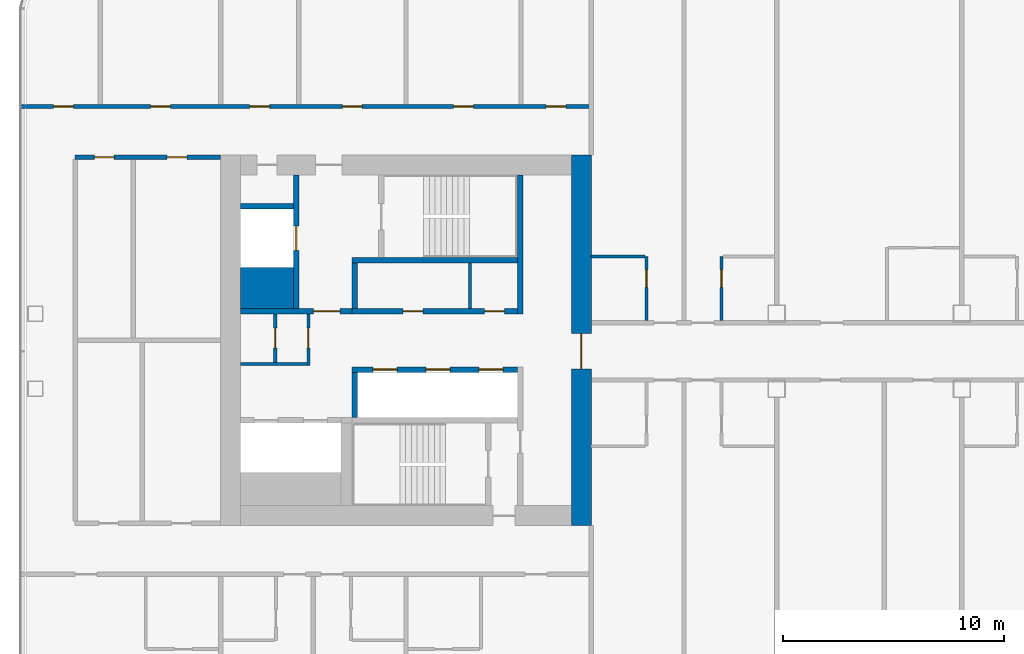
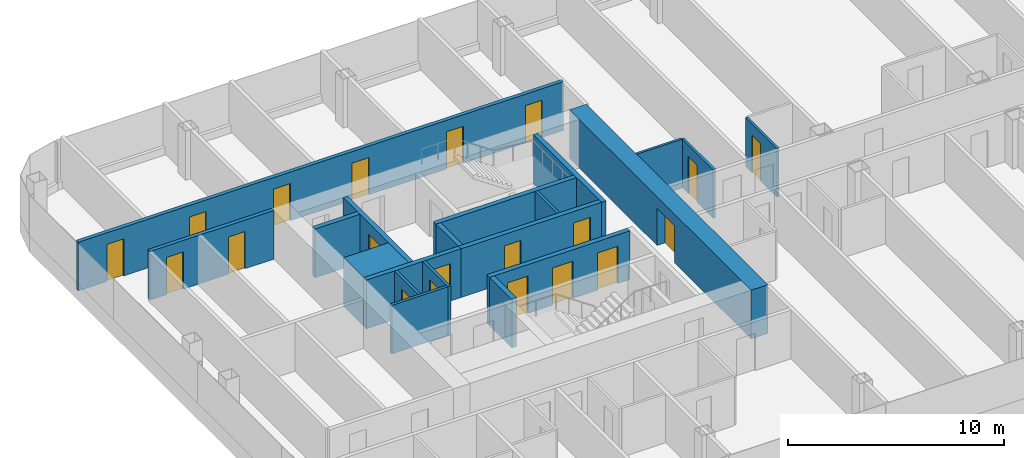
# One storey, part 13 of 26: 20 doors, 20 walls, 20 openings.
"""IFC4 building model written with IfcOpenShell, lengths in metres."""

from ifc_helpers import new_model, si_unit, direction, frame, frame_2d, origin, place, context, subcontext, project, spatial, rectangle, extrude, material, layer, layer_set, type_object, element, fill, save


model = new_model("IFC4")

# Units and contexts
model_context = context("Model", 3, precision=1e-05, world=origin(), true_north=direction((0.0, 1.0)))
body_context = subcontext(model_context, "Body", "Model", "MODEL_VIEW")
ifc_project = project(units=[si_unit("LENGTHUNIT", "METRE"), si_unit("AREAUNIT", "SQUARE_METRE"), si_unit("VOLUMEUNIT", "CUBIC_METRE"), si_unit("PLANEANGLEUNIT", "RADIAN"), si_unit("MASSUNIT", "GRAM", prefix="KILO")], contexts=[model_context])

# Site, building, storey
site_placement = place(None, origin())
site = spatial("IfcSite", under=ifc_project, at=site_placement, CompositionType="ELEMENT")
building_placement = place(site_placement, origin())
building = spatial("IfcBuilding", under=site, at=building_placement, Name="Hakoniwa Tower and Hamabe Station Hall", CompositionType="ELEMENT")
storey_placement = place(building_placement, frame((0.0, 0.0, 156.60009765625)))
storey = spatial("IfcBuildingStorey", under=building, at=storey_placement, Name="L44", CompositionType="ELEMENT", Elevation=156.60009765625)

# Wall
ifc_material_1 = material(Name="Gypsum board partition", Category="gypsum")
ifc_layer_1 = layer(ifc_material_1, 0.125)
ifc_layer_set_1 = layer_set([ifc_layer_1], Name="Bathroom Partition 125")
wall_type_1 = type_object("IfcWallType", Name="Bathroom Partition 125", PredefinedType="PARTITIONING", material=ifc_layer_set_1)
wall_1_placement = place(storey_placement, frame((-16.81005859375, 3.800048828125, 0.0), z_axis=(0.0, 0.0, 1.0), x_axis=(1.0, 0.0, 0.0)))
element("IfcWall", 1, at=wall_1_placement, inside=storey, type_object=wall_type_1, Name="GW-L44-023", PredefinedType="PARTITIONING", context=body_context, shape_type="SweptSolid", body=[
    extrude(rectangle(XDim=2.447509765625, YDim=0.125, at=frame_2d((1.2236328125, 0.0))), origin(), (0.0, 0.0, 1.0), 2.75),
])

# Wall, opening, door
wall_2_placement = place(storey_placement, frame((-14.300048828125, 0.89990234375, 0.0), z_axis=(0.0, 0.0, 1.0), x_axis=(0.0, 1.0, 0.0)))
wall_2 = element("IfcWall", 2, at=wall_2_placement, inside=storey, type_object=wall_type_1, Name="GW-L44-051", PredefinedType="PARTITIONING", context=body_context, shape_type="SweptSolid", body=[
    extrude(rectangle(XDim=2.900146484375, YDim=0.125, at=frame_2d((1.4501953125, 0.0))), origin(), (0.0, 0.0, 1.0), 2.75),
])
opening_1_placement = place(wall_2_placement, frame((1.5, 0.0, 0.0)))
opening_1 = element("IfcOpeningElement", 3, at=opening_1_placement, cuts=wall_2, Name="Opening GD-G3D1-49", PredefinedType="OPENING", context=body_context, shape_type="SweptSolid", body=[
    extrude(rectangle(XDim=0.800048828125, YDim=2.10009765625, at=frame_2d((0.39990234375, 1.050048828125))), frame((0.0, 0.072509765625, 0.0), z_axis=(0.0, -1.0, 0.0), x_axis=(1.0, 0.0, 0.0)), (0.0, 0.0, 1.0), 0.14501953125),
])
ifc_material_2 = material(Name="Timber door leaf", Category="wood")
door_type_1 = type_object("IfcDoorType", Name="Bathroom Door 800", OperationType="SINGLE_SWING_LEFT", PredefinedType="DOOR", material=ifc_material_2)
door_1_placement = place(opening_1_placement, origin())
door_1 = element("IfcDoor", 4, at=door_1_placement, inside=storey, type_object=door_type_1, Name="Door GD-G3D1-49", OperationType="SINGLE_SWING_LEFT", OverallHeight=2.10009765625, OverallWidth=0.800048828125, PredefinedType="DOOR", context=body_context, shape_type="SweptSolid", body=[
    extrude(rectangle(XDim=0.800048828125, YDim=2.10009765625, at=frame_2d((0.39990234375, 1.050048828125))), frame((0.0, 0.02490234375, 0.0), z_axis=(0.0, -1.0, 0.0), x_axis=(1.0, 0.0, 0.0)), (0.0, 0.0, 1.0), 0.050048828125),
])
fill(opening_1, door_1)

wall_3_placement = place(storey_placement, frame((-10.89990234375, 0.89990234375, 0.0), z_axis=(0.0, 0.0, 1.0), x_axis=(0.0, 1.0, 0.0)))
wall_3 = element("IfcWall", 5, at=wall_3_placement, inside=storey, type_object=wall_type_1, Name="GW-L44-055", PredefinedType="PARTITIONING", context=body_context, shape_type="SweptSolid", body=[
    extrude(rectangle(XDim=2.900146484375, YDim=0.125, at=frame_2d((1.4501953125, 0.0))), origin(), (0.0, 0.0, 1.0), 2.75),
])
opening_2_placement = place(wall_3_placement, frame((1.5, 0.0, 0.0)))
opening_2 = element("IfcOpeningElement", 6, at=opening_2_placement, cuts=wall_3, Name="Opening GD-G3D1-51", PredefinedType="OPENING", context=body_context, shape_type="SweptSolid", body=[
    extrude(rectangle(XDim=0.800048828125, YDim=2.10009765625, at=frame_2d((0.39990234375, 1.050048828125))), frame((0.0, 0.072509765625, 0.0), z_axis=(0.0, -1.0, 0.0), x_axis=(1.0, 0.0, 0.0)), (0.0, 0.0, 1.0), 0.14501953125),
])
door_2_placement = place(opening_2_placement, origin())
door_2 = element("IfcDoor", 7, at=door_2_placement, inside=storey, type_object=door_type_1, Name="Door GD-G3D1-51", OperationType="SINGLE_SWING_RIGHT", OverallHeight=2.10009765625, OverallWidth=0.800048828125, PredefinedType="DOOR", context=body_context, shape_type="SweptSolid", body=[
    extrude(rectangle(XDim=0.800048828125, YDim=2.10009765625, at=frame_2d((0.39990234375, 1.050048828125))), frame((0.0, 0.02490234375, 0.0), z_axis=(0.0, -1.0, 0.0), x_axis=(1.0, 0.0, 0.0)), (0.0, 0.0, 1.0), 0.050048828125),
])
fill(opening_2, door_2)

ifc_material_3 = material(Name="Gypsum board partition")
ifc_layer_2 = layer(ifc_material_3, 0.14990234375)
ifc_layer_set_2 = layer_set([ifc_layer_2], Name="CORE PARTITION 150 EI 60")
wall_type_2 = type_object("IfcWallType", Name="CORE PARTITION 150 EI 60", PredefinedType="PARTITIONING", material=ifc_layer_set_2)
wall_4_placement = place(storey_placement, frame((-29.625, -1.14990234375, 0.0), z_axis=(0.0, 0.0, 1.0), x_axis=(0.0, 1.0, 0.0)))
wall_4 = element("IfcWall", 8, at=wall_4_placement, inside=storey, type_object=wall_type_2, Name="Core partition PW0 west", PredefinedType="PARTITIONING", context=body_context, shape_type="SweptSolid", body=[
    extrude(rectangle(XDim=2.349853515625, YDim=0.14990234375, at=frame_2d((1.1748046875, 0.0))), origin(), (0.0, 0.0, 1.0), 2.75),
])
opening_3_placement = place(wall_4_placement, frame((0.800048828125, 0.0, 0.0)))
opening_3 = element("IfcOpeningElement", 9, at=opening_3_placement, cuts=wall_4, Name="Opening CD-W-RM1-9", PredefinedType="OPENING", context=body_context, shape_type="SweptSolid", body=[
    extrude(rectangle(XDim=0.89990234375, YDim=2.10009765625, at=frame_2d((0.449951171875, 1.050048828125))), frame((0.0, 0.0849609375, 0.0), z_axis=(0.0, -1.0, 0.0), x_axis=(1.0, 0.0, 0.0)), (0.0, 0.0, 1.0), 0.169921875),
])
ifc_material_4 = material(Name="Steel fire door", Category="steel")
door_type_2 = type_object("IfcDoorType", Name="CORE DOOR 900 FD30", OperationType="NOTDEFINED", PredefinedType="DOOR", material=ifc_material_4)
door_3_placement = place(opening_3_placement, origin())
door_3 = element("IfcDoor", 10, at=door_3_placement, inside=storey, type_object=door_type_2, Name="Store room door", OperationType="SINGLE_SWING_LEFT", OverallHeight=2.10009765625, OverallWidth=0.89990234375, PredefinedType="DOOR", context=body_context, shape_type="SweptSolid", body=[
    extrude(rectangle(XDim=0.89990234375, YDim=2.10009765625, at=frame_2d((0.449951171875, 1.050048828125))), frame((0.0, 0.02490234375, 0.0), z_axis=(0.0, -1.0, 0.0), x_axis=(1.0, 0.0, 0.0)), (0.0, 0.0, 1.0), 0.050048828125),
])
fill(opening_3, door_3)

# Wall
wall_5_placement = place(storey_placement, frame((-32.699951171875, -1.074951171875, 0.0), z_axis=(0.0, 0.0, 1.0), x_axis=(1.0, 0.0, 0.0)))
element("IfcWall", 11, at=wall_5_placement, inside=storey, type_object=wall_type_2, Name="Core partition PS west", PredefinedType="PARTITIONING", context=body_context, shape_type="SweptSolid", body=[
    extrude(rectangle(XDim=3.0, YDim=0.14990234375, at=frame_2d((1.5, 0.0))), origin(), (0.0, 0.0, 1.0), 2.75),
])

# Wall, opening, door
wall_6_placement = place(storey_placement, frame((-31.125, -1.0, 0.0), z_axis=(0.0, 0.0, 1.0), x_axis=(0.0, 1.0, 0.0)))
wall_6 = element("IfcWall", 12, at=wall_6_placement, inside=storey, type_object=wall_type_2, Name="Core partition PW1 west", PredefinedType="PARTITIONING", context=body_context, shape_type="SweptSolid", body=[
    extrude(rectangle(XDim=2.199951171875, YDim=0.14990234375, at=frame_2d((1.10009765625, 0.0))), origin(), (0.0, 0.0, 1.0), 2.75),
])
opening_4_placement = place(wall_6_placement, frame((0.64990234375, 0.0, 0.0)))
opening_4 = element("IfcOpeningElement", 13, at=opening_4_placement, cuts=wall_6, Name="Opening CD-W-RM2-9", PredefinedType="OPENING", context=body_context, shape_type="SweptSolid", body=[
    extrude(rectangle(XDim=0.89990234375, YDim=2.10009765625, at=frame_2d((0.449951171875, 1.050048828125))), frame((0.0, 0.0849609375, 0.0), z_axis=(0.0, -1.0, 0.0), x_axis=(1.0, 0.0, 0.0)), (0.0, 0.0, 1.0), 0.169921875),
])
door_4_placement = place(opening_4_placement, origin())
door_4 = element("IfcDoor", 14, at=door_4_placement, inside=storey, type_object=door_type_2, Name="Store room door", OperationType="SINGLE_SWING_LEFT", OverallHeight=2.10009765625, OverallWidth=0.89990234375, PredefinedType="DOOR", context=body_context, shape_type="SweptSolid", body=[
    extrude(rectangle(XDim=0.89990234375, YDim=2.10009765625, at=frame_2d((0.449951171875, 1.050048828125))), frame((0.0, 0.02490234375, 0.0), z_axis=(0.0, -1.0, 0.0), x_axis=(1.0, 0.0, 0.0)), (0.0, 0.0, 1.0), 0.050048828125),
])
fill(opening_4, door_4)

# Wall
wall_7_placement = place(storey_placement, frame((-22.300048828125, 1.449951171875, 0.0), z_axis=(0.0, 0.0, 1.0), x_axis=(0.0, 1.0, 0.0)))
element("IfcWall", 15, at=wall_7_placement, inside=storey, type_object=wall_type_2, Name="Core partition PFLR0 west", PredefinedType="PARTITIONING", context=body_context, shape_type="SweptSolid", body=[
    extrude(rectangle(XDim=2.050048828125, YDim=0.14990234375, at=frame_2d((1.02490234375, 0.0))), origin(), (0.0, 0.0, 1.0), 2.75),
])

# Wall, opening, door
ifc_material_5 = material(Name="Concrete C66", Category="concrete")
ifc_layer_3 = layer(ifc_material_5, 0.89990234375)
ifc_layer_set_3 = layer_set([ifc_layer_3], Name="CORE WALL 900 C66")
wall_type_3 = type_object("IfcWallType", Name="CORE WALL 900 C66", PredefinedType="SHEAR", material=ifc_layer_set_3)
wall_8_placement = place(storey_placement, frame((-17.25, -8.39990234375, 0.0), z_axis=(0.0, 0.0, 1.0), x_axis=(0.0, 1.0, 0.0)))
wall_8 = element("IfcWall", 16, at=wall_8_placement, inside=storey, type_object=wall_type_3, Name="Core wall INNER west", PredefinedType="SHEAR", context=body_context, shape_type="SweptSolid", body=[
    extrude(rectangle(XDim=16.7998046875, YDim=0.89990234375, at=frame_2d((8.39990234375, 0.0))), origin(), (0.0, 0.0, 1.0), 2.75),
])
opening_5_placement = place(wall_8_placement, frame((7.10009765625, 0.0, 0.0)))
opening_5 = element("IfcOpeningElement", 17, at=opening_5_placement, cuts=wall_8, Name="Opening CD-W-IN1-16", PredefinedType="OPENING", context=body_context, shape_type="SweptSolid", body=[
    extrude(rectangle(XDim=1.60009765625, YDim=2.10009765625, at=frame_2d((0.800048828125, 1.050048828125))), frame((0.0, 0.4599609375, 0.0), z_axis=(0.0, -1.0, 0.0), x_axis=(1.0, 0.0, 0.0)), (0.0, 0.0, 1.0), 0.919921875),
])
ifc_material_6 = material(Name="Steel fire door", Category="steel")
door_type_3 = type_object("IfcDoorType", Name="CORE DOOR 1600 FD60", OperationType="DOUBLE_DOOR_SINGLE_SWING", PredefinedType="DOOR", material=ifc_material_6)
door_5_placement = place(opening_5_placement, origin())
door_5 = element("IfcDoor", 18, at=door_5_placement, inside=storey, type_object=door_type_3, Name="Lift lobby door", OperationType="DOUBLE_DOOR_SINGLE_SWING", OverallHeight=2.10009765625, OverallWidth=1.60009765625, PredefinedType="DOOR", context=body_context, shape_type="SweptSolid", body=[
    extrude(rectangle(XDim=1.60009765625, YDim=2.10009765625, at=frame_2d((0.800048828125, 1.050048828125))), frame((0.0, 0.02490234375, 0.0), z_axis=(0.0, -1.0, 0.0), x_axis=(1.0, 0.0, 0.0)), (0.0, 0.0, 1.0), 0.050048828125),
])
fill(opening_5, door_5)

# Walls
ifc_material_7 = material(Name="Concrete C66", Category="concrete")
ifc_layer_4 = layer(ifc_material_7, 1.85009765625)
ifc_layer_set_4 = layer_set([ifc_layer_4], Name="CORE WEB WALL 1850 C66")
wall_type_4 = type_object("IfcWallType", Name="CORE WEB WALL 1850 C66", PredefinedType="SHEAR", material=ifc_layer_set_4)
wall_9_placement = place(storey_placement, frame((-32.699951171875, 2.375, 0.0), z_axis=(0.0, 0.0, 1.0), x_axis=(1.0, 0.0, 0.0)))
element("IfcWall", 19, at=wall_9_placement, inside=storey, type_object=wall_type_4, Name="Core wall CA west", PredefinedType="SHEAR", context=body_context, shape_type="SweptSolid", body=[
    extrude(rectangle(XDim=2.39990234375, YDim=1.85009765625, at=frame_2d((1.199951171875, 0.0))), origin(), (0.0, 0.0, 1.0), 2.75),
])
ifc_material_8 = material(Name="Concrete C66", Category="concrete")
ifc_layer_5 = layer(ifc_material_8, 0.25)
ifc_layer_set_5 = layer_set([ifc_layer_5], Name="CORE WEB WALL 250 C66")
wall_type_5 = type_object("IfcWallType", Name="CORE WEB WALL 250 C66", PredefinedType="SHEAR", material=ifc_layer_set_5)
wall_10_placement = place(storey_placement, frame((-20.02490234375, 1.199951171875, 0.0), z_axis=(0.0, 0.0, 1.0), x_axis=(0.0, 1.0, 0.0)))
element("IfcWall", 20, at=wall_10_placement, inside=storey, type_object=wall_type_5, Name="Core wall W1N west", PredefinedType="SHEAR", context=body_context, shape_type="SweptSolid", body=[
    extrude(rectangle(XDim=6.300048828125, YDim=0.25, at=frame_2d((3.14990234375, 0.0))), origin(), (0.0, 0.0, 1.0), 2.75),
])

# Wall, openings, doors
wall_11_placement = place(storey_placement, frame((-27.64990234375, 1.324951171875, 0.0), z_axis=(0.0, 0.0, 1.0), x_axis=(1.0, 0.0, 0.0)))
wall_11 = element("IfcWall", 21, at=wall_11_placement, inside=storey, type_object=wall_type_5, Name="Core wall NF west", PredefinedType="SHEAR", context=body_context, shape_type="SweptSolid", body=[
    extrude(rectangle(XDim=7.5, YDim=0.25, at=frame_2d((3.75, 0.0))), origin(), (0.0, 0.0, 1.0), 2.75),
])
opening_6_placement = place(wall_11_placement, frame((6.012451171875, 0.0, 0.0)))
opening_6 = element("IfcOpeningElement", 22, at=opening_6_placement, cuts=wall_11, Name="Opening CD-W-FRLR0-9", PredefinedType="OPENING", context=body_context, shape_type="SweptSolid", body=[
    extrude(rectangle(XDim=0.89990234375, YDim=2.10009765625, at=frame_2d((0.449951171875, 1.050048828125))), frame((0.0, 0.135009765625, 0.0), z_axis=(0.0, -1.0, 0.0), x_axis=(1.0, 0.0, 0.0)), (0.0, 0.0, 1.0), 0.27001953125),
])
opening_7_placement = place(wall_11_placement, frame((2.3125, 0.0, 0.0)))
opening_7 = element("IfcOpeningElement", 23, at=opening_7_placement, cuts=wall_11, Name="Opening CD-W-FRLR1-9", PredefinedType="OPENING", context=body_context, shape_type="SweptSolid", body=[
    extrude(rectangle(XDim=0.89990234375, YDim=2.10009765625, at=frame_2d((0.449951171875, 1.050048828125))), frame((0.0, 0.135009765625, 0.0), z_axis=(0.0, -1.0, 0.0), x_axis=(1.0, 0.0, 0.0)), (0.0, 0.0, 1.0), 0.27001953125),
])
door_6_placement = place(opening_6_placement, origin())
door_6 = element("IfcDoor", 24, at=door_6_placement, inside=storey, type_object=door_type_2, Name="Store room door", OperationType="SINGLE_SWING_LEFT", OverallHeight=2.10009765625, OverallWidth=0.89990234375, PredefinedType="DOOR", context=body_context, shape_type="SweptSolid", body=[
    extrude(rectangle(XDim=0.89990234375, YDim=2.10009765625, at=frame_2d((0.449951171875, 1.050048828125))), frame((0.0, 0.02490234375, 0.0), z_axis=(0.0, -1.0, 0.0), x_axis=(1.0, 0.0, 0.0)), (0.0, 0.0, 1.0), 0.050048828125),
])
fill(opening_6, door_6)
door_7_placement = place(opening_7_placement, origin())
door_7 = element("IfcDoor", 25, at=door_7_placement, inside=storey, type_object=door_type_2, Name="Store room door", OperationType="SINGLE_SWING_LEFT", OverallHeight=2.10009765625, OverallWidth=0.89990234375, PredefinedType="DOOR", context=body_context, shape_type="SweptSolid", body=[
    extrude(rectangle(XDim=0.89990234375, YDim=2.10009765625, at=frame_2d((0.449951171875, 1.050048828125))), frame((0.0, 0.02490234375, 0.0), z_axis=(0.0, -1.0, 0.0), x_axis=(1.0, 0.0, 0.0)), (0.0, 0.0, 1.0), 0.050048828125),
])
fill(opening_7, door_7)

# Walls
wall_12_placement = place(storey_placement, frame((-27.52490234375, 1.449951171875, 0.0), z_axis=(0.0, 0.0, 1.0), x_axis=(0.0, 1.0, 0.0)))
element("IfcWall", 26, at=wall_12_placement, inside=storey, type_object=wall_type_5, Name="Core wall NE west", PredefinedType="SHEAR", context=body_context, shape_type="SweptSolid", body=[
    extrude(rectangle(XDim=2.050048828125, YDim=0.25, at=frame_2d((1.02490234375, 0.0))), origin(), (0.0, 0.0, 1.0), 2.75),
])
wall_13_placement = place(storey_placement, frame((-27.64990234375, 3.625, 0.0), z_axis=(0.0, 0.0, 1.0), x_axis=(1.0, 0.0, 0.0)))
element("IfcWall", 27, at=wall_13_placement, inside=storey, type_object=wall_type_5, Name="Core wall NR west", PredefinedType="SHEAR", context=body_context, shape_type="SweptSolid", body=[
    extrude(rectangle(XDim=7.5, YDim=0.25, at=frame_2d((3.75, 0.0))), origin(), (0.0, 0.0, 1.0), 2.75),
])

# Wall, opening, door
wall_14_placement = place(storey_placement, frame((-32.699951171875, 1.324951171875, 0.0), z_axis=(0.0, 0.0, 1.0), x_axis=(1.0, 0.0, 0.0)))
wall_14 = element("IfcWall", 28, at=wall_14_placement, inside=storey, type_object=wall_type_5, Name="Core wall ELN west", PredefinedType="SHEAR", context=body_context, shape_type="SweptSolid", body=[
    extrude(rectangle(XDim=5.050048828125, YDim=0.25, at=frame_2d((2.52490234375, 0.0))), origin(), (0.0, 0.0, 1.0), 2.75),
])
opening_8_placement = place(wall_14_placement, frame((3.300048828125, 0.0, 0.0)))
opening_8 = element("IfcOpeningElement", 29, at=opening_8_placement, cuts=wall_14, Name="Opening CD-W-FL-12", PredefinedType="OPENING", context=body_context, shape_type="SweptSolid", body=[
    extrude(rectangle(XDim=1.199951171875, YDim=2.10009765625, at=frame_2d((0.60009765625, 1.050048828125))), frame((0.0, 0.135009765625, 0.0), z_axis=(0.0, -1.0, 0.0), x_axis=(1.0, 0.0, 0.0)), (0.0, 0.0, 1.0), 0.27001953125),
])
ifc_material_9 = material(Name="Steel fire door", Category="steel")
door_type_4 = type_object("IfcDoorType", Name="CORE DOOR 1200 FD60", OperationType="DOUBLE_DOOR_SINGLE_SWING", PredefinedType="DOOR", material=ifc_material_9)
door_8_placement = place(opening_8_placement, origin())
door_8 = element("IfcDoor", 30, at=door_8_placement, inside=storey, type_object=door_type_4, Name="Stair vestibule door to the fire-fighting lobby", OperationType="DOUBLE_DOOR_SINGLE_SWING", OverallHeight=2.10009765625, OverallWidth=1.199951171875, PredefinedType="DOOR", context=body_context, shape_type="SweptSolid", body=[
    extrude(rectangle(XDim=1.199951171875, YDim=2.10009765625, at=frame_2d((0.60009765625, 1.050048828125))), frame((0.0, 0.02490234375, 0.0), z_axis=(0.0, -1.0, 0.0), x_axis=(1.0, 0.0, 0.0)), (0.0, 0.0, 1.0), 0.050048828125),
])
fill(opening_8, door_8)

wall_15_placement = place(storey_placement, frame((-30.175048828125, 1.449951171875, 0.0), z_axis=(0.0, 0.0, 1.0), x_axis=(0.0, 1.0, 0.0)))
wall_15 = element("IfcWall", 31, at=wall_15_placement, inside=storey, type_object=wall_type_5, Name="Core wall FFF west", PredefinedType="SHEAR", context=body_context, shape_type="SweptSolid", body=[
    extrude(rectangle(XDim=6.050048828125, YDim=0.25, at=frame_2d((3.02490234375, 0.0))), origin(), (0.0, 0.0, 1.0), 2.75),
])
opening_9_placement = place(wall_15_placement, frame((2.625, 0.0, 0.0)))
opening_9 = element("IfcOpeningElement", 32, at=opening_9_placement, cuts=wall_15, Name="Opening LD-FF1", PredefinedType="OPENING", context=body_context, shape_type="SweptSolid", body=[
    extrude(rectangle(XDim=1.10009765625, YDim=2.10009765625, at=frame_2d((0.550048828125, 1.050048828125))), frame((0.0, 0.135009765625, 0.0), z_axis=(0.0, -1.0, 0.0), x_axis=(1.0, 0.0, 0.0)), (0.0, 0.0, 1.0), 0.27001953125),
])
ifc_material_10 = material(Name="Stainless steel SUS304", Category="steel")
door_type_5 = type_object("IfcDoorType", Name="LIFT LANDING DOOR 1100 FD60", OperationType="DOUBLE_DOOR_SLIDING", PredefinedType="DOOR", material=ifc_material_10)
door_9_placement = place(opening_9_placement, origin())
door_9 = element("IfcDoor", 33, at=door_9_placement, inside=storey, type_object=door_type_5, Name="Lift landing door FF1 L44", OperationType="DOUBLE_DOOR_SLIDING", OverallHeight=2.10009765625, OverallWidth=1.10009765625, PredefinedType="DOOR", context=body_context, shape_type="SweptSolid", body=[
    extrude(rectangle(XDim=1.10009765625, YDim=2.10009765625, at=frame_2d((0.550048828125, 1.050048828125))), frame((0.0, 0.02490234375, 0.0), z_axis=(0.0, -1.0, 0.0), x_axis=(1.0, 0.0, 0.0)), (0.0, 0.0, 1.0), 0.050048828125),
])
fill(opening_9, door_9)

# Wall
wall_16_placement = place(storey_placement, frame((-32.699951171875, 6.074951171875, 0.0), z_axis=(0.0, 0.0, 1.0), x_axis=(1.0, 0.0, 0.0)))
element("IfcWall", 34, at=wall_16_placement, inside=storey, type_object=wall_type_5, Name="Core wall C2 west", PredefinedType="SHEAR", context=body_context, shape_type="SweptSolid", body=[
    extrude(rectangle(XDim=2.39990234375, YDim=0.25, at=frame_2d((1.199951171875, 0.0))), origin(), (0.0, 0.0, 1.0), 2.75),
])

# Wall, openings, doors
wall_17_placement = place(storey_placement, frame((-27.64990234375, -1.324951171875, 0.0), z_axis=(0.0, 0.0, 1.0), x_axis=(1.0, 0.0, 0.0)))
wall_17 = element("IfcWall", 35, at=wall_17_placement, inside=storey, type_object=wall_type_5, Name="Core wall SF west", PredefinedType="SHEAR", context=body_context, shape_type="SweptSolid", body=[
    extrude(rectangle(XDim=7.5, YDim=0.25, at=frame_2d((3.75, 0.0))), origin(), (0.0, 0.0, 1.0), 2.75),
])
opening_10_placement = place(wall_17_placement, frame((5.75, 0.0, 0.0)))
opening_10 = element("IfcOpeningElement", 36, at=opening_10_placement, cuts=wall_17, Name="Opening LD-HR1", PredefinedType="OPENING", context=body_context, shape_type="SweptSolid", body=[
    extrude(rectangle(XDim=1.10009765625, YDim=2.10009765625, at=frame_2d((0.550048828125, 1.050048828125))), frame((0.0, 0.135009765625, 0.0), z_axis=(0.0, -1.0, 0.0), x_axis=(1.0, 0.0, 0.0)), (0.0, 0.0, 1.0), 0.27001953125),
])
opening_11_placement = place(wall_17_placement, frame((3.35009765625, 0.0, 0.0)))
opening_11 = element("IfcOpeningElement", 37, at=opening_11_placement, cuts=wall_17, Name="Opening LD-HR2", PredefinedType="OPENING", context=body_context, shape_type="SweptSolid", body=[
    extrude(rectangle(XDim=1.10009765625, YDim=2.10009765625, at=frame_2d((0.550048828125, 1.050048828125))), frame((0.0, 0.135009765625, 0.0), z_axis=(0.0, -1.0, 0.0), x_axis=(1.0, 0.0, 0.0)), (0.0, 0.0, 1.0), 0.27001953125),
])
opening_12_placement = place(wall_17_placement, frame((0.949951171875, 0.0, 0.0)))
opening_12 = element("IfcOpeningElement", 38, at=opening_12_placement, cuts=wall_17, Name="Opening LD-HR3", PredefinedType="OPENING", context=body_context, shape_type="SweptSolid", body=[
    extrude(rectangle(XDim=1.10009765625, YDim=2.10009765625, at=frame_2d((0.550048828125, 1.050048828125))), frame((0.0, 0.135009765625, 0.0), z_axis=(0.0, -1.0, 0.0), x_axis=(1.0, 0.0, 0.0)), (0.0, 0.0, 1.0), 0.27001953125),
])
door_10_placement = place(opening_10_placement, origin())
door_10 = element("IfcDoor", 39, at=door_10_placement, inside=storey, type_object=door_type_5, Name="Lift landing door HR1 L44", OperationType="DOUBLE_DOOR_SLIDING", OverallHeight=2.10009765625, OverallWidth=1.10009765625, PredefinedType="DOOR", context=body_context, shape_type="SweptSolid", body=[
    extrude(rectangle(XDim=1.10009765625, YDim=2.10009765625, at=frame_2d((0.550048828125, 1.050048828125))), frame((0.0, 0.02490234375, 0.0), z_axis=(0.0, -1.0, 0.0), x_axis=(1.0, 0.0, 0.0)), (0.0, 0.0, 1.0), 0.050048828125),
])
fill(opening_10, door_10)
door_11_placement = place(opening_11_placement, origin())
door_11 = element("IfcDoor", 40, at=door_11_placement, inside=storey, type_object=door_type_5, Name="Lift landing door HR2 L44", OperationType="DOUBLE_DOOR_SLIDING", OverallHeight=2.10009765625, OverallWidth=1.10009765625, PredefinedType="DOOR", context=body_context, shape_type="SweptSolid", body=[
    extrude(rectangle(XDim=1.10009765625, YDim=2.10009765625, at=frame_2d((0.550048828125, 1.050048828125))), frame((0.0, 0.02490234375, 0.0), z_axis=(0.0, -1.0, 0.0), x_axis=(1.0, 0.0, 0.0)), (0.0, 0.0, 1.0), 0.050048828125),
])
fill(opening_11, door_11)
door_12_placement = place(opening_12_placement, origin())
door_12 = element("IfcDoor", 41, at=door_12_placement, inside=storey, type_object=door_type_5, Name="Lift landing door HR3 L44", OperationType="DOUBLE_DOOR_SLIDING", OverallHeight=2.10009765625, OverallWidth=1.10009765625, PredefinedType="DOOR", context=body_context, shape_type="SweptSolid", body=[
    extrude(rectangle(XDim=1.10009765625, YDim=2.10009765625, at=frame_2d((0.550048828125, 1.050048828125))), frame((0.0, 0.02490234375, 0.0), z_axis=(0.0, -1.0, 0.0), x_axis=(1.0, 0.0, 0.0)), (0.0, 0.0, 1.0), 0.050048828125),
])
fill(opening_12, door_12)

# Wall
wall_18_placement = place(storey_placement, frame((-27.52490234375, -3.5, 0.0), z_axis=(0.0, 0.0, 1.0), x_axis=(0.0, 1.0, 0.0)))
element("IfcWall", 42, at=wall_18_placement, inside=storey, type_object=wall_type_5, Name="Core wall SE west", PredefinedType="SHEAR", context=body_context, shape_type="SweptSolid", body=[
    extrude(rectangle(XDim=2.050048828125, YDim=0.25, at=frame_2d((1.02490234375, 0.0))), origin(), (0.0, 0.0, 1.0), 2.75),
])

# Wall, openings, doors
ifc_material_11 = material(Name="Fire-rated gypsum board partition", Category="gypsum")
ifc_layer_6 = layer(ifc_material_11, 0.199951171875)
ifc_layer_set_6 = layer_set([ifc_layer_6], Name="Corridor Wall 200")
wall_type_6 = type_object("IfcWallType", Name="Corridor Wall 200", PredefinedType="PARTITIONING", material=ifc_layer_set_6)
wall_19_placement = place(storey_placement, frame((-40.199951171875, 8.300048828125, 0.0), z_axis=(0.0, 0.0, 1.0), x_axis=(1.0, 0.0, 0.0)))
wall_19 = element("IfcWall", 43, at=wall_19_placement, inside=storey, type_object=wall_type_6, Name="GW-L44-029", PredefinedType="PARTITIONING", context=body_context, shape_type="SweptSolid", body=[
    extrude(rectangle(XDim=6.599853515625, YDim=0.199951171875, at=frame_2d((3.2998046875, 0.0))), origin(), (0.0, 0.0, 1.0), 2.75),
])
opening_13_placement = place(wall_19_placement, frame((0.8701171875, 0.0, 0.0)))
opening_13 = element("IfcOpeningElement", 44, at=opening_13_placement, cuts=wall_19, Name="Opening GD-G3D1-33", PredefinedType="OPENING", context=body_context, shape_type="SweptSolid", body=[
    extrude(rectangle(XDim=0.89990234375, YDim=2.10009765625, at=frame_2d((0.449951171875, 1.050048828125))), frame((0.0, 0.10986328125, 0.0), z_axis=(0.0, -1.0, 0.0), x_axis=(1.0, 0.0, 0.0)), (0.0, 0.0, 1.0), 0.219970703125),
])
opening_14_placement = place(wall_19_placement, frame((4.169921875, 0.0, 0.0)))
opening_14 = element("IfcOpeningElement", 45, at=opening_14_placement, cuts=wall_19, Name="Opening GD-G3D1-34", PredefinedType="OPENING", context=body_context, shape_type="SweptSolid", body=[
    extrude(rectangle(XDim=0.89990234375, YDim=2.10009765625, at=frame_2d((0.449951171875, 1.050048828125))), frame((0.0, 0.10986328125, 0.0), z_axis=(0.0, -1.0, 0.0), x_axis=(1.0, 0.0, 0.0)), (0.0, 0.0, 1.0), 0.219970703125),
])
ifc_material_12 = material(Name="Timber door leaf", Category="wood")
door_type_6 = type_object("IfcDoorType", Name="Service Door 900", OperationType="SINGLE_SWING_LEFT", PredefinedType="DOOR", material=ifc_material_12)
door_13_placement = place(opening_13_placement, origin())
door_13 = element("IfcDoor", 46, at=door_13_placement, inside=storey, type_object=door_type_6, Name="Door GD-G3D1-33", OperationType="SINGLE_SWING_RIGHT", OverallHeight=2.10009765625, OverallWidth=0.89990234375, PredefinedType="DOOR", context=body_context, shape_type="SweptSolid", body=[
    extrude(rectangle(XDim=0.89990234375, YDim=2.10009765625, at=frame_2d((0.449951171875, 1.050048828125))), frame((0.0, 0.02490234375, 0.0), z_axis=(0.0, -1.0, 0.0), x_axis=(1.0, 0.0, 0.0)), (0.0, 0.0, 1.0), 0.050048828125),
])
fill(opening_13, door_13)
door_14_placement = place(opening_14_placement, origin())
door_14 = element("IfcDoor", 47, at=door_14_placement, inside=storey, type_object=door_type_6, Name="Door GD-G3D1-34", OperationType="SINGLE_SWING_LEFT", OverallHeight=2.10009765625, OverallWidth=0.89990234375, PredefinedType="DOOR", context=body_context, shape_type="SweptSolid", body=[
    extrude(rectangle(XDim=0.89990234375, YDim=2.10009765625, at=frame_2d((0.449951171875, 1.050048828125))), frame((0.0, 0.02490234375, 0.0), z_axis=(0.0, -1.0, 0.0), x_axis=(1.0, 0.0, 0.0)), (0.0, 0.0, 1.0), 0.050048828125),
])
fill(opening_14, door_14)

wall_20_placement = place(storey_placement, frame((-42.699951171875, 10.60009765625, 0.0), z_axis=(0.0, 0.0, 1.0), x_axis=(1.0, 0.0, 0.0)))
wall_20 = element("IfcWall", 48, at=wall_20_placement, inside=storey, type_object=wall_type_6, Name="GW-L44-031", PredefinedType="PARTITIONING", context=body_context, shape_type="SweptSolid", body=[
    extrude(rectangle(XDim=25.89990234375, YDim=0.199951171875, at=frame_2d((12.949951171875, 0.0))), origin(), (0.0, 0.0, 1.0), 2.75),
])
opening_15_placement = place(wall_20_placement, frame((1.52001953125, 0.0, 0.0)))
opening_15 = element("IfcOpeningElement", 49, at=opening_15_placement, cuts=wall_20, Name="Opening GD-G3D1-37", PredefinedType="OPENING", context=body_context, shape_type="SweptSolid", body=[
    extrude(rectangle(XDim=0.89990234375, YDim=2.10009765625, at=frame_2d((0.449951171875, 1.050048828125))), frame((0.0, 0.10986328125, 0.0), z_axis=(0.0, -1.0, 0.0), x_axis=(1.0, 0.0, 0.0)), (0.0, 0.0, 1.0), 0.219970703125),
])
opening_16_placement = place(wall_20_placement, frame((5.919921875, 0.0, 0.0)))
opening_16 = element("IfcOpeningElement", 50, at=opening_16_placement, cuts=wall_20, Name="Opening GD-G3D1-38", PredefinedType="OPENING", context=body_context, shape_type="SweptSolid", body=[
    extrude(rectangle(XDim=0.89990234375, YDim=2.10009765625, at=frame_2d((0.449951171875, 1.050048828125))), frame((0.0, 0.10986328125, 0.0), z_axis=(0.0, -1.0, 0.0), x_axis=(1.0, 0.0, 0.0)), (0.0, 0.0, 1.0), 0.219970703125),
])
opening_17_placement = place(wall_20_placement, frame((10.4150390625, 0.0, 0.0)))
opening_17 = element("IfcOpeningElement", 51, at=opening_17_placement, cuts=wall_20, Name="Opening GD-G3D1-39", PredefinedType="OPENING", context=body_context, shape_type="SweptSolid", body=[
    extrude(rectangle(XDim=0.89990234375, YDim=2.10009765625, at=frame_2d((0.449951171875, 1.050048828125))), frame((0.0, 0.10986328125, 0.0), z_axis=(0.0, -1.0, 0.0), x_axis=(1.0, 0.0, 0.0)), (0.0, 0.0, 1.0), 0.219970703125),
])
opening_18_placement = place(wall_20_placement, frame((14.614990234375, 0.0, 0.0)))
opening_18 = element("IfcOpeningElement", 52, at=opening_18_placement, cuts=wall_20, Name="Opening GD-G3D1-40", PredefinedType="OPENING", context=body_context, shape_type="SweptSolid", body=[
    extrude(rectangle(XDim=0.89990234375, YDim=2.10009765625, at=frame_2d((0.449951171875, 1.050048828125))), frame((0.0, 0.10986328125, 0.0), z_axis=(0.0, -1.0, 0.0), x_axis=(1.0, 0.0, 0.0)), (0.0, 0.0, 1.0), 0.219970703125),
])
opening_19_placement = place(wall_20_placement, frame((19.655029296875, 0.0, 0.0)))
opening_19 = element("IfcOpeningElement", 53, at=opening_19_placement, cuts=wall_20, Name="Opening GD-G3D1-41", PredefinedType="OPENING", context=body_context, shape_type="SweptSolid", body=[
    extrude(rectangle(XDim=0.89990234375, YDim=2.10009765625, at=frame_2d((0.449951171875, 1.050048828125))), frame((0.0, 0.10986328125, 0.0), z_axis=(0.0, -1.0, 0.0), x_axis=(1.0, 0.0, 0.0)), (0.0, 0.0, 1.0), 0.219970703125),
])
opening_20_placement = place(wall_20_placement, frame((23.85498046875, 0.0, 0.0)))
opening_20 = element("IfcOpeningElement", 54, at=opening_20_placement, cuts=wall_20, Name="Opening GD-G3D1-42", PredefinedType="OPENING", context=body_context, shape_type="SweptSolid", body=[
    extrude(rectangle(XDim=0.89990234375, YDim=2.10009765625, at=frame_2d((0.449951171875, 1.050048828125))), frame((0.0, 0.10986328125, 0.0), z_axis=(0.0, -1.0, 0.0), x_axis=(1.0, 0.0, 0.0)), (0.0, 0.0, 1.0), 0.219970703125),
])
door_15_placement = place(opening_15_placement, origin())
door_15 = element("IfcDoor", 55, at=door_15_placement, inside=storey, type_object=door_type_6, Name="Door GD-G3D1-37", OperationType="SINGLE_SWING_LEFT", OverallHeight=2.10009765625, OverallWidth=0.89990234375, PredefinedType="DOOR", context=body_context, shape_type="SweptSolid", body=[
    extrude(rectangle(XDim=0.89990234375, YDim=2.10009765625, at=frame_2d((0.449951171875, 1.050048828125))), frame((0.0, 0.02490234375, 0.0), z_axis=(0.0, -1.0, 0.0), x_axis=(1.0, 0.0, 0.0)), (0.0, 0.0, 1.0), 0.050048828125),
])
fill(opening_15, door_15)
door_16_placement = place(opening_16_placement, origin())
door_16 = element("IfcDoor", 56, at=door_16_placement, inside=storey, type_object=door_type_6, Name="Door GD-G3D1-38", OperationType="SINGLE_SWING_RIGHT", OverallHeight=2.10009765625, OverallWidth=0.89990234375, PredefinedType="DOOR", context=body_context, shape_type="SweptSolid", body=[
    extrude(rectangle(XDim=0.89990234375, YDim=2.10009765625, at=frame_2d((0.449951171875, 1.050048828125))), frame((0.0, 0.02490234375, 0.0), z_axis=(0.0, -1.0, 0.0), x_axis=(1.0, 0.0, 0.0)), (0.0, 0.0, 1.0), 0.050048828125),
])
fill(opening_16, door_16)
door_17_placement = place(opening_17_placement, origin())
door_17 = element("IfcDoor", 57, at=door_17_placement, inside=storey, type_object=door_type_6, Name="Door GD-G3D1-39", OperationType="SINGLE_SWING_LEFT", OverallHeight=2.10009765625, OverallWidth=0.89990234375, PredefinedType="DOOR", context=body_context, shape_type="SweptSolid", body=[
    extrude(rectangle(XDim=0.89990234375, YDim=2.10009765625, at=frame_2d((0.449951171875, 1.050048828125))), frame((0.0, 0.02490234375, 0.0), z_axis=(0.0, -1.0, 0.0), x_axis=(1.0, 0.0, 0.0)), (0.0, 0.0, 1.0), 0.050048828125),
])
fill(opening_17, door_17)
door_18_placement = place(opening_18_placement, origin())
door_18 = element("IfcDoor", 58, at=door_18_placement, inside=storey, type_object=door_type_6, Name="Door GD-G3D1-40", OperationType="SINGLE_SWING_LEFT", OverallHeight=2.10009765625, OverallWidth=0.89990234375, PredefinedType="DOOR", context=body_context, shape_type="SweptSolid", body=[
    extrude(rectangle(XDim=0.89990234375, YDim=2.10009765625, at=frame_2d((0.449951171875, 1.050048828125))), frame((0.0, 0.02490234375, 0.0), z_axis=(0.0, -1.0, 0.0), x_axis=(1.0, 0.0, 0.0)), (0.0, 0.0, 1.0), 0.050048828125),
])
fill(opening_18, door_18)
door_19_placement = place(opening_19_placement, origin())
door_19 = element("IfcDoor", 59, at=door_19_placement, inside=storey, type_object=door_type_6, Name="Door GD-G3D1-41", OperationType="SINGLE_SWING_RIGHT", OverallHeight=2.10009765625, OverallWidth=0.89990234375, PredefinedType="DOOR", context=body_context, shape_type="SweptSolid", body=[
    extrude(rectangle(XDim=0.89990234375, YDim=2.10009765625, at=frame_2d((0.449951171875, 1.050048828125))), frame((0.0, 0.02490234375, 0.0), z_axis=(0.0, -1.0, 0.0), x_axis=(1.0, 0.0, 0.0)), (0.0, 0.0, 1.0), 0.050048828125),
])
fill(opening_19, door_19)
door_20_placement = place(opening_20_placement, origin())
door_20 = element("IfcDoor", 60, at=door_20_placement, inside=storey, type_object=door_type_6, Name="Door GD-G3D1-42", OperationType="SINGLE_SWING_LEFT", OverallHeight=2.10009765625, OverallWidth=0.89990234375, PredefinedType="DOOR", context=body_context, shape_type="SweptSolid", body=[
    extrude(rectangle(XDim=0.89990234375, YDim=2.10009765625, at=frame_2d((0.449951171875, 1.050048828125))), frame((0.0, 0.02490234375, 0.0), z_axis=(0.0, -1.0, 0.0), x_axis=(1.0, 0.0, 0.0)), (0.0, 0.0, 1.0), 0.050048828125),
])
fill(opening_20, door_20)

save(model, "model.ifc")
